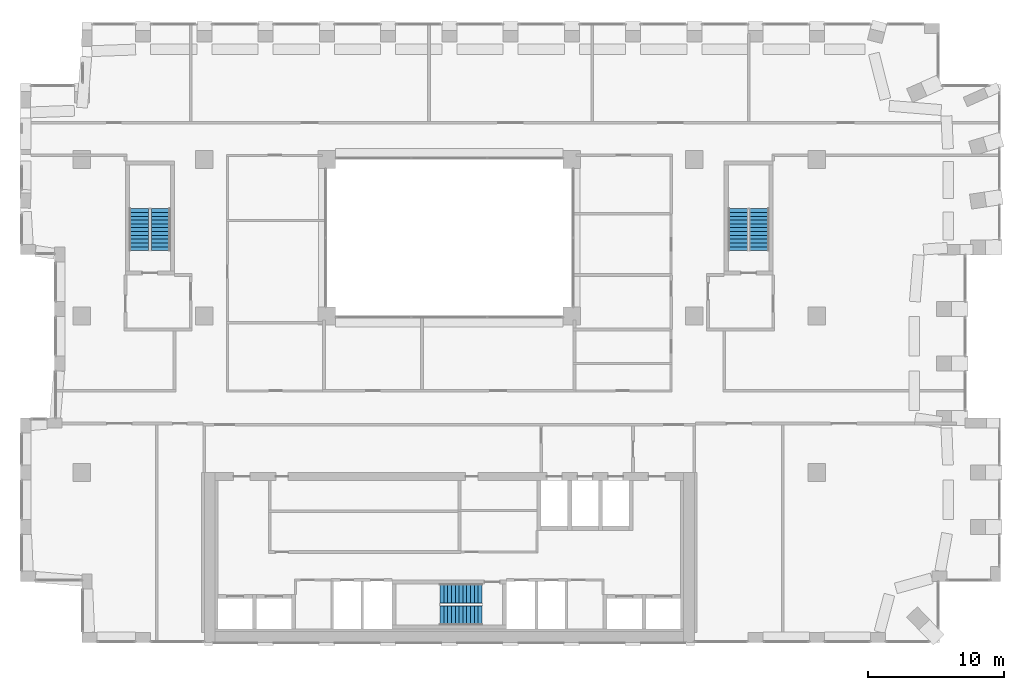
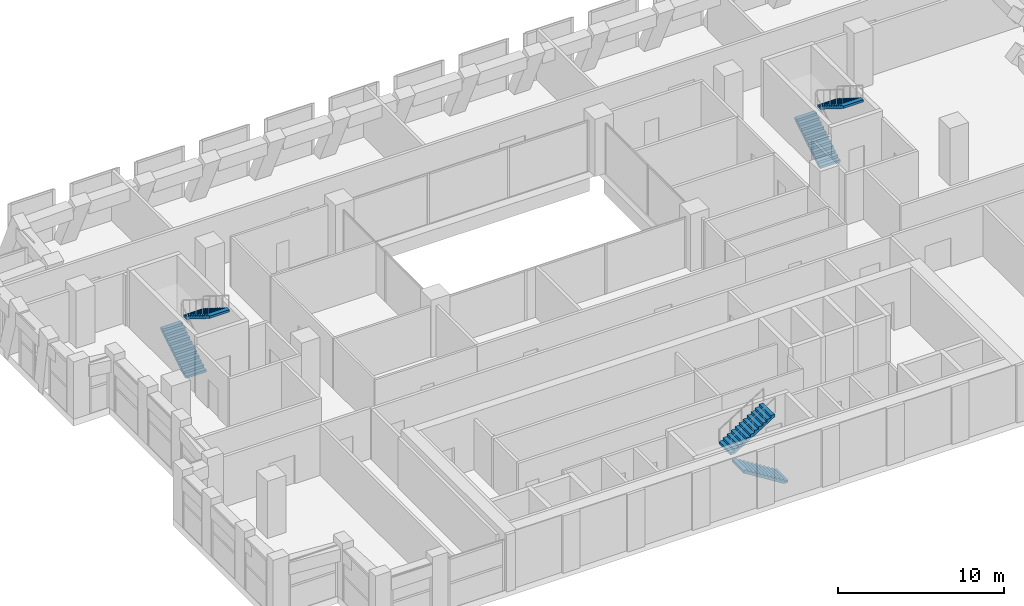
# One storey, part 19 of 20: 6 stair flights, 3 elements without a shape of their own.
"""IFC4 building model written with IfcOpenShell, lengths in metres."""

from ifc_helpers import new_model, si_unit, direction, frame, origin, place, context, subcontext, project, spatial, polyline, outline, extrude, material, type_object, element, aggregate, save


model = new_model("IFC4")

# Units and contexts
model_context = context("Model", 3, precision=1e-05, world=origin(), true_north=direction((0.0, 1.0)))
body_context = subcontext(model_context, "Body", "Model", "MODEL_VIEW")
ifc_project = project(units=[si_unit("LENGTHUNIT", "METRE"), si_unit("AREAUNIT", "SQUARE_METRE"), si_unit("VOLUMEUNIT", "CUBIC_METRE"), si_unit("PLANEANGLEUNIT", "RADIAN"), si_unit("MASSUNIT", "GRAM", prefix="KILO")], contexts=[model_context])

# Site, building, storey
site_placement = place(None, origin())
site = spatial("IfcSite", under=ifc_project, at=site_placement, CompositionType="ELEMENT")
building_placement = place(site_placement, origin())
building = spatial("IfcBuilding", under=site, at=building_placement, Name="Brigalow Station Residences", CompositionType="ELEMENT")
storey_placement = place(building_placement, frame((0.0, 0.0, 137.10009765625)))
storey = spatial("IfcBuildingStorey", under=building, at=storey_placement, Name="L39", CompositionType="ELEMENT", Elevation=137.10009765625)

# Stair, stair flights
ifc_material_1 = material(Name="Concrete C50", Category="concrete")
stair_type = type_object("IfcStairType", Name="EXIT STAIR 1400 2 FLIGHT", PredefinedType="HALF_TURN_STAIR", material=ifc_material_1)
stair_1_placement = place(storey_placement, origin())
stair_1 = element("IfcStair", 1, at=stair_1_placement, inside=storey, type_object=stair_type, Name="EXIT STAIR S2 L39", PredefinedType="HALF_TURN_STAIR")
ifc_material_2 = material(Name="Concrete C50", Category="concrete")
stair_flight_type = type_object("IfcStairFlightType", Name="STAIR FLIGHT 1400", PredefinedType="STRAIGHT", material=ifc_material_2)
stair_flight_1_placement = place(storey_placement, frame((38.39990234375, 2.0, 0.0), z_axis=(0.0, 0.0, 1.0), x_axis=(-1.0, 0.0, 0.0)))
stair_flight_1 = element("IfcStairFlight", 2, at=stair_flight_1_placement, type_object=stair_flight_type, Name="ST-2 flight 1", NumberOfRisers=12, NumberOfTreads=11, PredefinedType="STRAIGHT", RiserHeight=0.175, TreadLength=0.28, context=body_context, shape_type="SweptSolid", body=[
    extrude(outline(polyline([(0.0, 0.0), (0.0, 0.175048828125), (0.280029296875, 0.175048828125), (0.280029296875, 0.35009765625), (0.56005859375, 0.35009765625), (0.56005859375, 0.52490234375), (0.840087890625, 0.52490234375), (0.840087890625, 0.699951171875), (1.1201171875, 0.699951171875), (1.1201171875, 0.875), (1.39990234375, 0.875), (1.39990234375, 1.050048828125), (1.679931640625, 1.050048828125), (1.679931640625, 1.22509765625), (1.9599609375, 1.22509765625), (1.9599609375, 1.39990234375), (2.239990234375, 1.39990234375), (2.239990234375, 1.574951171875), (2.52001953125, 1.574951171875), (2.52001953125, 1.75), (2.800048828125, 1.75), (2.800048828125, 1.925048828125), (3.080078125, 1.925048828125), (3.080078125, 2.10009765625), (3.080078125, 1.748291015625), (0.28271484375, 0.0), (0.0, 0.0)])), frame((0.0, 0.699951171875, 0.0), z_axis=(0.0, -1.0, 0.0), x_axis=(1.0, 0.0, 0.0)), (0.0, 0.0, 1.0), 1.39990234375),
])
stair_flight_2_placement = place(storey_placement, frame((35.320068359375, 3.60009765625, 2.099853515625), z_axis=(0.0, 0.0, 1.0), x_axis=(1.0, 0.0, 0.0)))
stair_flight_2 = element("IfcStairFlight", 3, at=stair_flight_2_placement, type_object=stair_flight_type, Name="ST-2 flight 2", NumberOfRisers=12, NumberOfTreads=11, PredefinedType="STRAIGHT", RiserHeight=0.175, TreadLength=0.28, context=body_context, shape_type="SweptSolid", body=[
    extrude(outline(polyline([(0.0, 0.0), (0.0, 0.175048828125), (0.280029296875, 0.175048828125), (0.280029296875, 0.35009765625), (0.56005859375, 0.35009765625), (0.56005859375, 0.52490234375), (0.840087890625, 0.52490234375), (0.840087890625, 0.699951171875), (1.1201171875, 0.699951171875), (1.1201171875, 0.875), (1.39990234375, 0.875), (1.39990234375, 1.050048828125), (1.679931640625, 1.050048828125), (1.679931640625, 1.22509765625), (1.9599609375, 1.22509765625), (1.9599609375, 1.39990234375), (2.239990234375, 1.39990234375), (2.239990234375, 1.574951171875), (2.52001953125, 1.574951171875), (2.52001953125, 1.75), (2.800048828125, 1.75), (2.800048828125, 1.925048828125), (3.080078125, 1.925048828125), (3.080078125, 2.10009765625), (3.080078125, 1.748291015625), (0.28271484375, 0.0), (0.0, 0.0)])), frame((0.0, 0.699951171875, 0.0), z_axis=(0.0, -1.0, 0.0), x_axis=(1.0, 0.0, 0.0)), (0.0, 0.0, 1.0), 1.39990234375),
])
aggregate(stair_1, [stair_flight_1, stair_flight_2])

stair_2_placement = place(storey_placement, origin())
stair_2 = element("IfcStair", 4, at=stair_2_placement, inside=storey, type_object=stair_type, Name="EXIT STAIR S1 L39", PredefinedType="HALF_TURN_STAIR")
stair_flight_3_placement = place(storey_placement, frame((13.199951171875, 28.800048828125, 0.0), z_axis=(0.0, 0.0, 1.0), x_axis=(0.0, 1.0, 0.0)))
stair_flight_3 = element("IfcStairFlight", 5, at=stair_flight_3_placement, type_object=stair_flight_type, Name="ST-1 flight 1", NumberOfRisers=12, NumberOfTreads=11, PredefinedType="STRAIGHT", RiserHeight=0.175, TreadLength=0.28, context=body_context, shape_type="SweptSolid", body=[
    extrude(outline(polyline([(0.0, 0.0), (0.0, 0.175048828125), (0.280029296875, 0.175048828125), (0.280029296875, 0.35009765625), (0.56005859375, 0.35009765625), (0.56005859375, 0.52490234375), (0.840087890625, 0.52490234375), (0.840087890625, 0.699951171875), (1.1201171875, 0.699951171875), (1.1201171875, 0.875), (1.39990234375, 0.875), (1.39990234375, 1.050048828125), (1.679931640625, 1.050048828125), (1.679931640625, 1.22509765625), (1.9599609375, 1.22509765625), (1.9599609375, 1.39990234375), (2.239990234375, 1.39990234375), (2.239990234375, 1.574951171875), (2.52001953125, 1.574951171875), (2.52001953125, 1.75), (2.800048828125, 1.75), (2.800048828125, 1.925048828125), (3.080078125, 1.925048828125), (3.080078125, 2.10009765625), (3.080078125, 1.748291015625), (0.28271484375, 0.0), (0.0, 0.0)])), frame((0.0, 0.699951171875, 0.0), z_axis=(0.0, -1.0, 0.0), x_axis=(1.0, 0.0, 0.0)), (0.0, 0.0, 1.0), 1.39990234375),
])
stair_flight_4_placement = place(storey_placement, frame((14.800048828125, 31.8798828125, 2.099853515625), z_axis=(0.0, 0.0, 1.0), x_axis=(0.0, -1.0, 0.0)))
stair_flight_4 = element("IfcStairFlight", 6, at=stair_flight_4_placement, type_object=stair_flight_type, Name="ST-1 flight 2", NumberOfRisers=12, NumberOfTreads=11, PredefinedType="STRAIGHT", RiserHeight=0.175, TreadLength=0.28, context=body_context, shape_type="SweptSolid", body=[
    extrude(outline(polyline([(0.0, 0.0), (0.0, 0.175048828125), (0.280029296875, 0.175048828125), (0.280029296875, 0.35009765625), (0.56005859375, 0.35009765625), (0.56005859375, 0.52490234375), (0.840087890625, 0.52490234375), (0.840087890625, 0.699951171875), (1.1201171875, 0.699951171875), (1.1201171875, 0.875), (1.39990234375, 0.875), (1.39990234375, 1.050048828125), (1.679931640625, 1.050048828125), (1.679931640625, 1.22509765625), (1.9599609375, 1.22509765625), (1.9599609375, 1.39990234375), (2.239990234375, 1.39990234375), (2.239990234375, 1.574951171875), (2.52001953125, 1.574951171875), (2.52001953125, 1.75), (2.800048828125, 1.75), (2.800048828125, 1.925048828125), (3.080078125, 1.925048828125), (3.080078125, 2.10009765625), (3.080078125, 1.748291015625), (0.28271484375, 0.0), (0.0, 0.0)])), frame((0.0, 0.699951171875, 0.0), z_axis=(0.0, -1.0, 0.0), x_axis=(1.0, 0.0, 0.0)), (0.0, 0.0, 1.0), 1.39990234375),
])
aggregate(stair_2, [stair_flight_3, stair_flight_4])

stair_3_placement = place(storey_placement, origin())
stair_3 = element("IfcStair", 7, at=stair_3_placement, inside=storey, type_object=stair_type, Name="EXIT STAIR S3 L39", PredefinedType="HALF_TURN_STAIR")
stair_flight_5_placement = place(storey_placement, frame((57.199951171875, 28.800048828125, 0.0), z_axis=(0.0, 0.0, 1.0), x_axis=(0.0, 1.0, 0.0)))
stair_flight_5 = element("IfcStairFlight", 8, at=stair_flight_5_placement, type_object=stair_flight_type, Name="ST-3 flight 1", NumberOfRisers=12, NumberOfTreads=11, PredefinedType="STRAIGHT", RiserHeight=0.175, TreadLength=0.28, context=body_context, shape_type="SweptSolid", body=[
    extrude(outline(polyline([(0.0, 0.0), (0.0, 0.175048828125), (0.280029296875, 0.175048828125), (0.280029296875, 0.35009765625), (0.56005859375, 0.35009765625), (0.56005859375, 0.52490234375), (0.840087890625, 0.52490234375), (0.840087890625, 0.699951171875), (1.1201171875, 0.699951171875), (1.1201171875, 0.875), (1.39990234375, 0.875), (1.39990234375, 1.050048828125), (1.679931640625, 1.050048828125), (1.679931640625, 1.22509765625), (1.9599609375, 1.22509765625), (1.9599609375, 1.39990234375), (2.239990234375, 1.39990234375), (2.239990234375, 1.574951171875), (2.52001953125, 1.574951171875), (2.52001953125, 1.75), (2.800048828125, 1.75), (2.800048828125, 1.925048828125), (3.080078125, 1.925048828125), (3.080078125, 2.10009765625), (3.080078125, 1.748291015625), (0.28271484375, 0.0), (0.0, 0.0)])), frame((0.0, 0.699951171875, 0.0), z_axis=(0.0, -1.0, 0.0), x_axis=(1.0, 0.0, 0.0)), (0.0, 0.0, 1.0), 1.39990234375),
])
stair_flight_6_placement = place(storey_placement, frame((58.800048828125, 31.8798828125, 2.099853515625), z_axis=(0.0, 0.0, 1.0), x_axis=(0.0, -1.0, 0.0)))
stair_flight_6 = element("IfcStairFlight", 9, at=stair_flight_6_placement, type_object=stair_flight_type, Name="ST-3 flight 2", NumberOfRisers=12, NumberOfTreads=11, PredefinedType="STRAIGHT", RiserHeight=0.175, TreadLength=0.28, context=body_context, shape_type="SweptSolid", body=[
    extrude(outline(polyline([(0.0, 0.0), (0.0, 0.175048828125), (0.280029296875, 0.175048828125), (0.280029296875, 0.35009765625), (0.56005859375, 0.35009765625), (0.56005859375, 0.52490234375), (0.840087890625, 0.52490234375), (0.840087890625, 0.699951171875), (1.1201171875, 0.699951171875), (1.1201171875, 0.875), (1.39990234375, 0.875), (1.39990234375, 1.050048828125), (1.679931640625, 1.050048828125), (1.679931640625, 1.22509765625), (1.9599609375, 1.22509765625), (1.9599609375, 1.39990234375), (2.239990234375, 1.39990234375), (2.239990234375, 1.574951171875), (2.52001953125, 1.574951171875), (2.52001953125, 1.75), (2.800048828125, 1.75), (2.800048828125, 1.925048828125), (3.080078125, 1.925048828125), (3.080078125, 2.10009765625), (3.080078125, 1.748291015625), (0.28271484375, 0.0), (0.0, 0.0)])), frame((0.0, 0.699951171875, 0.0), z_axis=(0.0, -1.0, 0.0), x_axis=(1.0, 0.0, 0.0)), (0.0, 0.0, 1.0), 1.39990234375),
])
aggregate(stair_3, [stair_flight_5, stair_flight_6])

save(model, "model.ifc")
